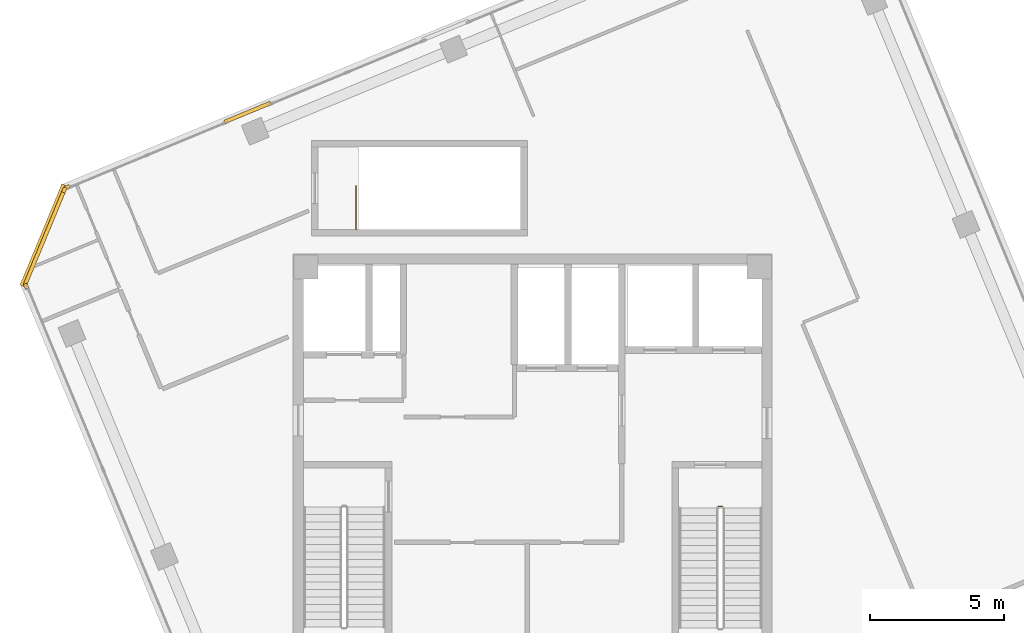
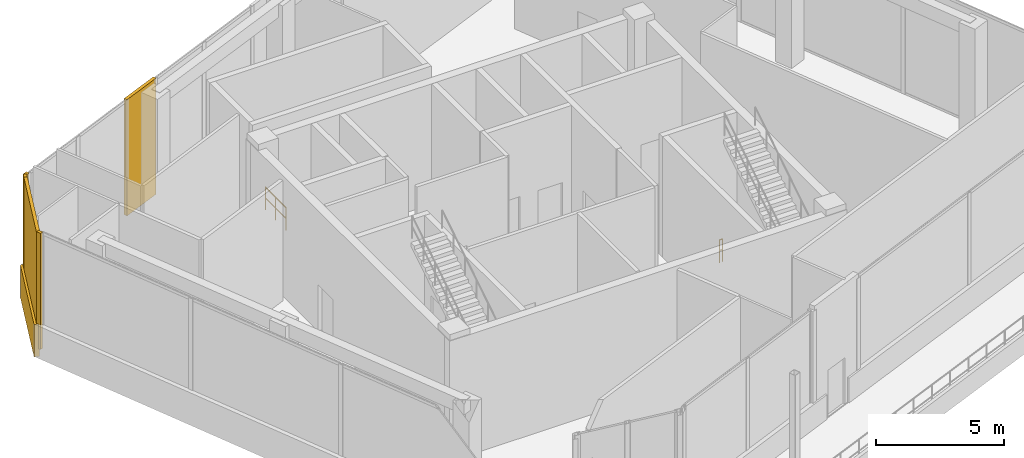
# One storey, part 15 of 16: 6 coverings, 2 railings.
"""IFC4 building model written with IfcOpenShell, lengths in metres."""

from ifc_helpers import new_model, si_unit, direction, frame, origin, origin_2d, place, context, subcontext, project, spatial, rectangle, circle, extrude, source, transform, mapped, material, layer, layer_set, type_object, element, save


model = new_model("IFC4")

# Units and contexts
model_context = context("Model", 3, precision=1e-05, world=origin(), true_north=direction((0.0, 1.0)))
body_context = subcontext(model_context, "Body", "Model", "MODEL_VIEW")
ifc_project = project(units=[si_unit("LENGTHUNIT", "METRE"), si_unit("AREAUNIT", "SQUARE_METRE"), si_unit("VOLUMEUNIT", "CUBIC_METRE"), si_unit("PLANEANGLEUNIT", "RADIAN"), si_unit("MASSUNIT", "GRAM", prefix="KILO")], contexts=[model_context])

# Site, building, storey
site_placement = place(None, origin())
site = spatial("IfcSite", under=ifc_project, at=site_placement, CompositionType="ELEMENT")
building_placement = place(site_placement, origin())
building = spatial("IfcBuilding", under=site, at=building_placement, Name="Torre Montelarca", CompositionType="ELEMENT")
storey_placement = place(building_placement, frame((0.0, 0.0, 360.0)))
storey = spatial("IfcBuildingStorey", under=building, at=storey_placement, Name="L81", CompositionType="ELEMENT", Elevation=360.0)

# Railings
ifc_material_1 = material(Name="Powder-coated steel ASTM A500 Grade C", Category="steel")
railing_type = type_object("IfcRailingType", Name="RL-GUARD-1100", PredefinedType="BALUSTRADE", material=ifc_material_1)
railing_1_placement = place(storey_placement, frame((24.919921875, 30.52001953125, 0.0)))
element("IfcRailing", 1, at=railing_1_placement, inside=storey, type_object=railing_type, Name="L81 ST2 stair guard 4", PredefinedType="BALUSTRADE", context=body_context, shape_type="SweptSolid", body=[
    extrude(circle(Radius=0.02392578125, at=origin_2d()), frame((0.0, 0.0, 1.076171875), z_axis=(1.0, 0.0, 0.0), x_axis=(0.0, 1.0, 0.0)), (0.0, 0.0, 1.0), 0.150146484375),
    extrude(circle(Radius=0.02099609375, at=origin_2d()), frame((0.0, 0.0, 0.572021484375), z_axis=(1.0, 0.0, 0.0), x_axis=(0.0, 1.0, 0.0)), (0.0, 0.0, 1.0), 0.150146484375),
    extrude(circle(Radius=0.02099609375, at=origin_2d()), origin(), (0.0, 0.0, 1.0), 1.052001953125),
    extrude(circle(Radius=0.02099609375, at=origin_2d()), frame((0.150146484375, 0.0, 0.0)), (0.0, 0.0, 1.0), 1.052001953125),
])
railing_2_placement = place(storey_placement, frame((11.409912109375, 40.85009765625, 0.0)))
element("IfcRailing", 2, at=railing_2_placement, inside=storey, type_object=railing_type, Name="L81 ST5 top well guard 1", PredefinedType="BALUSTRADE", context=body_context, shape_type="SweptSolid", body=[
    extrude(circle(Radius=0.02392578125, at=origin_2d()), frame((0.0, 0.0, 1.076171875), z_axis=(0.0, 1.0, 0.0), x_axis=(-1.0, 0.0, 0.0)), (0.0, 0.0, 1.0), 1.60986328125),
    extrude(circle(Radius=0.02099609375, at=origin_2d()), frame((0.0, 0.0, 0.572021484375), z_axis=(0.0, 1.0, 0.0), x_axis=(-1.0, 0.0, 0.0)), (0.0, 0.0, 1.0), 1.60986328125),
    extrude(circle(Radius=0.02099609375, at=origin_2d()), origin(), (0.0, 0.0, 1.0), 1.052001953125),
    extrude(circle(Radius=0.02099609375, at=origin_2d()), frame((0.0, 0.804931640625, 0.0)), (0.0, 0.0, 1.0), 1.052001953125),
    extrude(circle(Radius=0.02099609375, at=origin_2d()), frame((0.0, 1.60986328125, 0.0)), (0.0, 0.0, 1.0), 1.052001953125),
])

# Coverings
ifc_material_2 = material(Name="Bush-hammered warm white precast concrete C45/55", Category="concrete")
ifc_layer = layer(ifc_material_2, 0.139892578125, Name="Bush-hammered warm white precast concrete C45/55", Category="concrete")
ifc_layer_set = layer_set([ifc_layer], Name="Bush-hammered warm white precast concrete C45/55")
covering_type = type_object("IfcCoveringType", Name="COV-TRAY-CLAD", PredefinedType="CLADDING", material=ifc_layer_set)
shared_shape_1 = source(origin(), body_context, "Body", "SweptSolid", [
    extrude(rectangle(XDim=0.199951171875, YDim=0.139892578125, at=origin_2d()), origin(), (0.0, 0.0, 1.0), 5.52001953125),
])
for number, where, z_axis, x_axis, name in (
    (3, (-0.88916015625, 38.728515625, 0.0), (0.0, 0.0, 1.0), (0.382683432365, -0.923879532511, 0.0), "L81 Architectural Column Pier Cladding E01-1"),
    (4, (0.640380859375, 42.42041015625, 0.0), (0.0, 0.0, 1.0), (-0.923878864601, -0.382685044838, 0.0), "L81 Architectural Column Pier Cladding E10-5"),
    (5, (0.53759765625, 42.31787109375, 0.0), (0.0, 0.0, 1.0), (-0.382704394428, -0.923870849462, 0.0), "L81 Architectural Column Pier Cladding E11-1"),
):
    element("IfcCovering", number, at=place(storey_placement, frame(where, z_axis=z_axis, x_axis=x_axis)), inside=storey, type_object=covering_type, Name=name, PredefinedType="CLADDING", context=body_context, shape_type="MappedRepresentation", body=[
        mapped(shared_shape_1, transform((0.0, 0.0, 0.0), scale=1.0)),
    ])
shared_shape_2 = source(origin(), body_context, "Body", "SweptSolid", [
    extrude(rectangle(XDim=3.827880859375, YDim=0.139892578125, at=origin_2d()), origin(), (0.0, 0.0, 1.0), 5.52001953125),
])
covering_1_placement = place(storey_placement, frame((-0.19482421875, 40.549560546875, 0.0), z_axis=(0.0, 0.0, 1.0), x_axis=(-0.382704394428, -0.923870849462, 0.0)))
element("IfcCovering", 6, at=covering_1_placement, inside=storey, type_object=covering_type, Name="L81 Architectural Column Pier Cladding E11-2", PredefinedType="CLADDING", context=body_context, shape_type="MappedRepresentation", body=[
    mapped(shared_shape_2, transform((0.0, 0.0, 0.0), scale=1.0)),
])
shared_shape_3 = source(origin(), body_context, "Body", "SweptSolid", [
    extrude(rectangle(XDim=1.860107421875, YDim=0.139892578125, at=origin_2d()), origin(), (0.0, 0.0, 1.0), 5.52001953125),
])
covering_2_placement = place(storey_placement, frame((7.369873046875, 45.2080078125, 0.0), z_axis=(0.0, 0.0, 1.0), x_axis=(-0.923878864601, -0.382685044838, 0.0)))
element("IfcCovering", 7, at=covering_2_placement, inside=storey, type_object=covering_type, Name="L81 Architectural Column Pier Cladding E10-4", PredefinedType="CLADDING", context=body_context, shape_type="MappedRepresentation", body=[
    mapped(shared_shape_3, transform((0.0, 0.0, 0.0), scale=1.0)),
])
shared_shape_4 = source(origin(), body_context, "Body", "SweptSolid", [
    extrude(rectangle(XDim=4.07958984375, YDim=0.219970703125, at=origin_2d()), origin(), (0.0, 0.0, 1.0), 1.5400390625),
])
covering_3_placement = place(storey_placement, frame((-0.231201171875, 40.61865234375, -0.3701171875), z_axis=(0.0, 0.0, 1.0), x_axis=(-0.382701169508, -0.923872185347, 0.0)))
element("IfcCovering", 8, at=covering_3_placement, inside=storey, type_object=covering_type, Name="L81 Architectural White Spandrel Tray Band OBSRING-11", PredefinedType="CLADDING", context=body_context, shape_type="MappedRepresentation", body=[
    mapped(shared_shape_4, transform((0.0, 0.0, 0.0), scale=1.0)),
])

save(model, "model.ifc")
